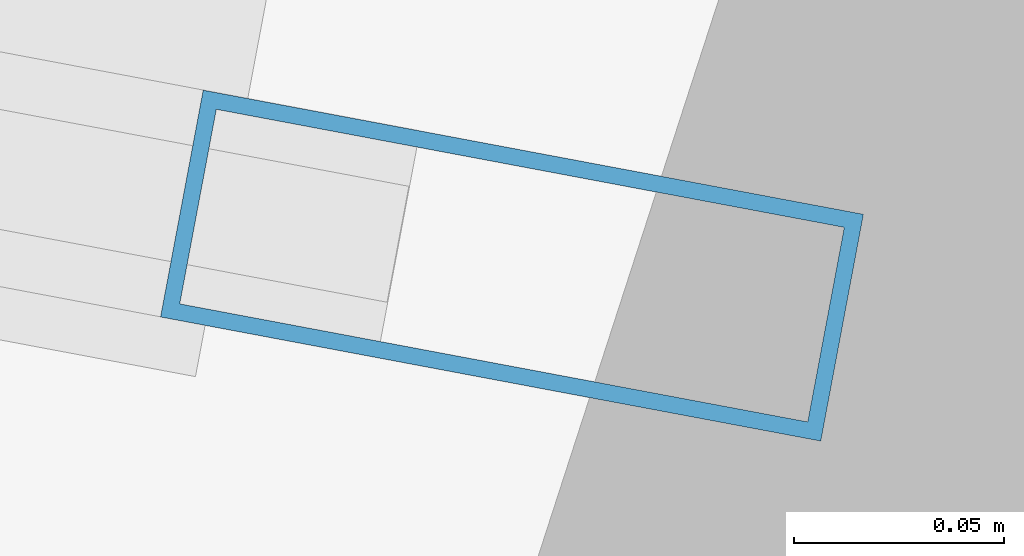
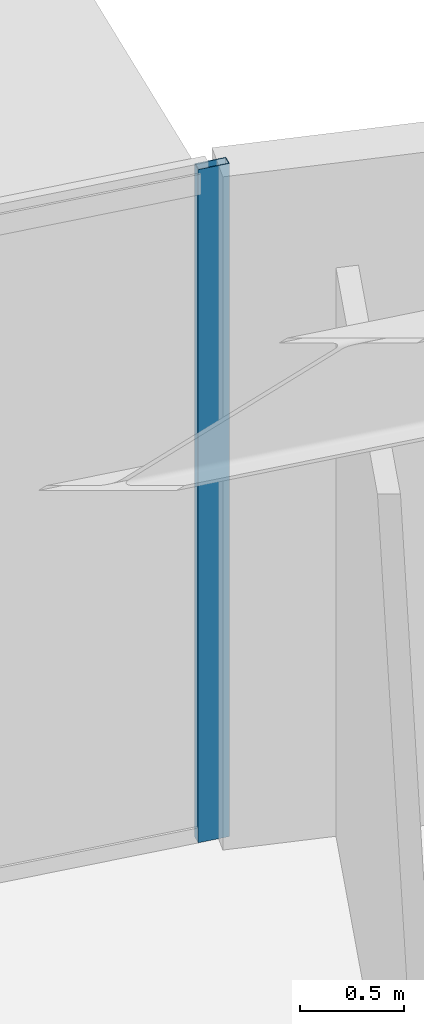
# One storey, part 12 of 28: 1 member, 1 element without a shape of its own.
"""IFC4 building model written with IfcOpenShell, lengths in metres."""

from ifc_helpers import new_model, si_unit, direction, frame, origin, origin_2d, place, context, subcontext, project, spatial, hollow_rectangle, extrude, source, transform, mapped, material, layer, layer_set, material_profile, profile_set, type_object, element, aggregate, save


model = new_model("IFC4")

# Units and contexts
model_context = context("Model", 3, precision=1e-05, world=origin(), true_north=direction((0.0, 1.0)))
body_context = subcontext(model_context, "Body", "Model", "MODEL_VIEW")
ifc_project = project(units=[si_unit("LENGTHUNIT", "METRE"), si_unit("AREAUNIT", "SQUARE_METRE"), si_unit("VOLUMEUNIT", "CUBIC_METRE"), si_unit("PLANEANGLEUNIT", "RADIAN"), si_unit("MASSUNIT", "GRAM", prefix="KILO")], contexts=[model_context])

# Site, building, storey
site_placement = place(None, origin())
site = spatial("IfcSite", under=ifc_project, at=site_placement, CompositionType="ELEMENT")
building_placement = place(site_placement, origin())
building = spatial("IfcBuilding", under=site, at=building_placement, Name="Linh Dai School and Residence Tower", CompositionType="ELEMENT")
storey_placement = place(building_placement, frame((0.0, 0.0, 57.60009765625)))
storey = spatial("IfcBuildingStorey", under=building, at=storey_placement, Name="L13", CompositionType="ELEMENT", Elevation=57.60009765625)

# Curtain wall, member
ifc_material_1 = material(Name="Aluminium Anodised Curtain Wall", Category="aluminium")
ifc_layer = layer(ifc_material_1, 0.159912109375)
ifc_layer_set = layer_set([ifc_layer], Name="Aluminium Anodised Curtain Wall")
curtain_wall_type = type_object("IfcCurtainWallType", Name="CW-SYS-3", PredefinedType="USERDEFINED", material=ifc_layer_set)
curtain_wall_placement = place(storey_placement, origin())
curtain_wall = element("IfcCurtainWall", 1, at=curtain_wall_placement, inside=storey, type_object=curtain_wall_type, Name="L13 CW3 Curtain Wall 09", ObjectType="RIBBON CURTAIN WALL", PredefinedType="USERDEFINED")
ifc_material_2 = material(Name="Aluminium Alloy 6063-T6", Category="aluminium")
ifc_material_profile = material_profile(ifc_material_2, hollow_rectangle(XDim=0.054931640625, YDim=0.159912109375, WallThickness=0.00390625, at=origin_2d()), Name="RHS 160x55x4")
ifc_profile_set = profile_set([ifc_material_profile], Name="Aluminium Alloy 6063-T6")
member_type = type_object("IfcMemberType", Name="CW-SYS-3-MUL", PredefinedType="MULLION", material=ifc_profile_set)
shared_shape = source(origin(), body_context, "Body", "SweptSolid", [
    extrude(hollow_rectangle(XDim=0.054931640625, YDim=0.159912109375, WallThickness=0.00390625, at=origin_2d()), origin(), (0.0, 0.0, 1.0), 3.949951171875),
])
member_placement = place(storey_placement, frame((45.58349609375, 50.1181640625, 0.0), z_axis=(0.0, 0.0, 1.0), x_axis=(0.184747948944, 0.982785935675, 0.0)))
member = element("IfcMember", 2, at=member_placement, type_object=member_type, Name="CW3 mullion 3", PredefinedType="MULLION", context=body_context, shape_type="MappedRepresentation", body=[
    mapped(shared_shape, transform((0.0, 0.0, 0.0), x_axis=(1.0, 0.0, 0.0), y_axis=(0.0, 1.0, 0.0), z_axis=(0.0, 0.0, 1.0), scale=1.0)),
])
aggregate(curtain_wall, [member])

save(model, "model.ifc")
